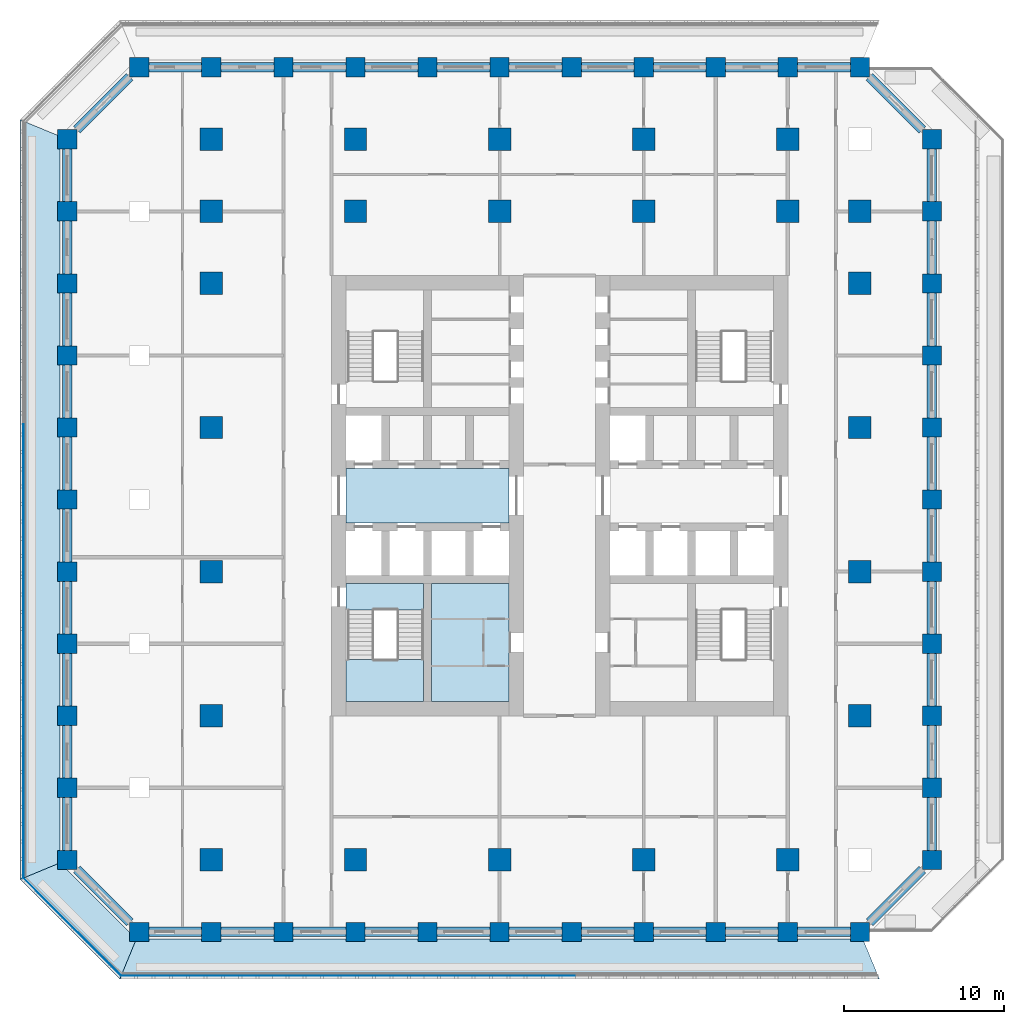
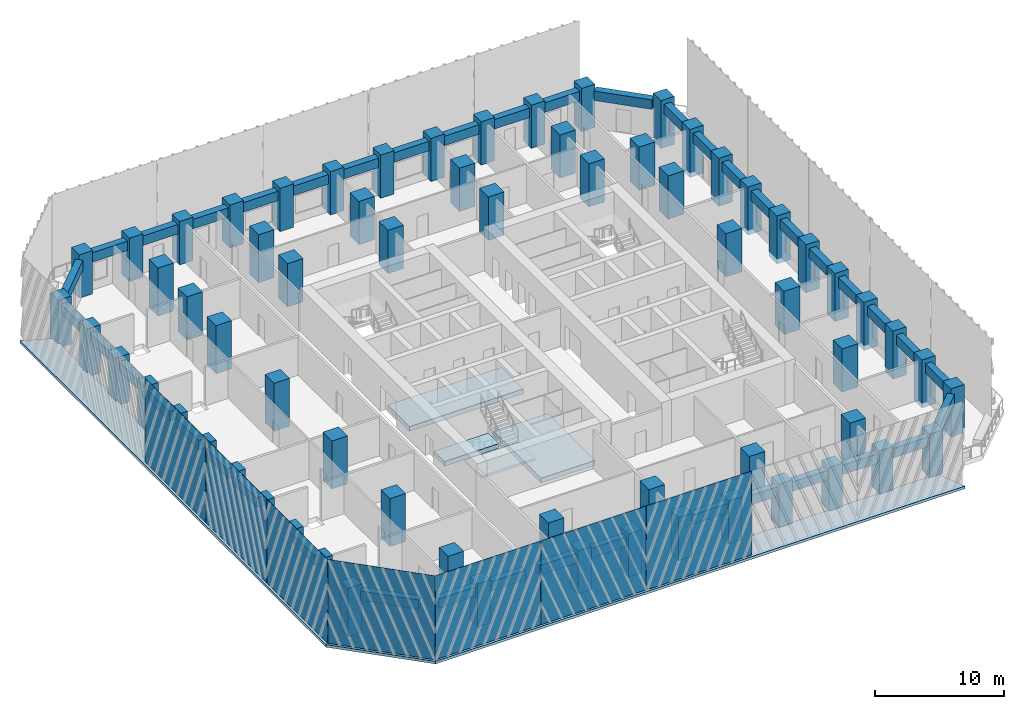
# One storey, part 1 of 19: 68 columns, 44 beams, 7 plates, 7 slabs, 1 element without a shape of its own.
"""IFC4 building model written with IfcOpenShell, lengths in metres."""

from ifc_helpers import new_model, si_unit, direction, frame, origin, origin_2d, place, context, subcontext, project, spatial, polyline, rectangle, outline, extrude, material, layer, layer_set, material_profile, profile_set, type_object, element, aggregate, save


model = new_model("IFC4")

# Units and contexts
model_context = context("Model", 3, precision=1e-05, world=origin(), true_north=direction((0.0, 1.0)))
body_context = subcontext(model_context, "Body", "Model", "MODEL_VIEW")
ifc_project = project(units=[si_unit("LENGTHUNIT", "METRE"), si_unit("AREAUNIT", "SQUARE_METRE"), si_unit("VOLUMEUNIT", "CUBIC_METRE"), si_unit("PLANEANGLEUNIT", "RADIAN"), si_unit("MASSUNIT", "GRAM", prefix="KILO")], contexts=[model_context])

# Site, building, storey
site_placement = place(None, origin())
site = spatial("IfcSite", under=ifc_project, at=site_placement, CompositionType="ELEMENT")
building_placement = place(site_placement, origin())
building = spatial("IfcBuilding", under=site, at=building_placement, Name="Corbel Stack Research Tower", CompositionType="ELEMENT")
storey_placement = place(building_placement, frame((0.0, 0.0, 116.699951171875)))
storey = spatial("IfcBuildingStorey", under=building, at=storey_placement, Name="L26", CompositionType="ELEMENT", Elevation=116.699951171875)

# Columns
ifc_material_1 = material(Name="Concrete C70/85", Category="concrete")
ifc_material_profile_1 = material_profile(ifc_material_1, rectangle(XDim=1.199951171875, YDim=1.199951171875, at=origin_2d()), Name="RC 1200 x 1200")
ifc_profile_set_1 = profile_set([ifc_material_profile_1], Name="Concrete C70/85")
column_type_1 = type_object("IfcColumnType", Name="C-1200-70", PredefinedType="COLUMN", material=ifc_profile_set_1)
for number, where, z_axis, x_axis, name in (
    (1, (-27.0, -18.0, -0.449951171875), (0.0, 0.0, 1.0), (1.0, 0.0, 0.0), "Column 2/D L26"),
    (2, (-27.0, -13.5, -0.449951171875), (0.0, 0.0, 1.0), (1.0, 0.0, 0.0), "Column 2/E L26"),
    (3, (-27.0, -9.0, -0.449951171875), (0.0, 0.0, 1.0), (1.0, 0.0, 0.0), "Column 2/F L26"),
    (4, (-27.0, -4.5, -0.449951171875), (0.0, 0.0, 1.0), (1.0, 0.0, 0.0), "Column 2/G L26"),
    (5, (-27.0, 0.0, -0.449951171875), (0.0, 0.0, 1.0), (1.0, 0.0, 0.0), "Column 2/H L26"),
    (6, (-27.0, 4.5, -0.449951171875), (0.0, 0.0, 1.0), (1.0, 0.0, 0.0), "Column 2/J L26"),
    (7, (-27.0, 9.0, -0.449951171875), (0.0, 0.0, 1.0), (1.0, 0.0, 0.0), "Column 2/K L26"),
    (8, (-27.0, 13.5, -0.449951171875), (0.0, 0.0, 1.0), (1.0, 0.0, 0.0), "Column 2/L L26"),
    (9, (-27.0, 18.0, -0.449951171875), (0.0, 0.0, 1.0), (1.0, 0.0, 0.0), "Column 2/M L26"),
    (10, (-27.0, 22.5, -0.449951171875), (0.0, 0.0, 1.0), (1.0, 0.0, 0.0), "Column 2/N L26"),
    (11, (-27.0, 27.0, -0.449951171875), (0.0, 0.0, 1.0), (1.0, 0.0, 0.0), "Column 2/P L26"),
):
    element("IfcColumn", number, at=place(storey_placement, frame(where, z_axis=z_axis, x_axis=x_axis)), inside=storey, type_object=column_type_1, Name=name, PredefinedType="COLUMN", context=body_context, shape_type="SweptSolid", body=[
        extrude(rectangle(XDim=1.199951171875, YDim=1.199951171875, at=origin_2d()), origin(), (0.0, 0.0, 1.0), 4.550048828125),
    ])
for number, where, z_axis, x_axis, name in (
    (12, (-22.5, -22.5, 0.0), (0.0, 0.0, 1.0), (1.0, 0.0, 0.0), "Column 3/C L26"),
    (13, (-22.5, 31.5, 0.0), (0.0, 0.0, 1.0), (1.0, 0.0, 0.0), "Column 3/Q L26"),
    (14, (-18.0, -22.5, 0.0), (0.0, 0.0, 1.0), (1.0, 0.0, 0.0), "Column 4/C L26"),
    (15, (-18.0, 31.5, 0.0), (0.0, 0.0, 1.0), (1.0, 0.0, 0.0), "Column 4/Q L26"),
    (16, (-13.5, -22.5, 0.0), (0.0, 0.0, 1.0), (1.0, 0.0, 0.0), "Column 5/C L26"),
    (17, (-13.5, 31.5, 0.0), (0.0, 0.0, 1.0), (1.0, 0.0, 0.0), "Column 5/Q L26"),
    (18, (-9.0, -22.5, 0.0), (0.0, 0.0, 1.0), (1.0, 0.0, 0.0), "Column 6/C L26"),
    (19, (-9.0, 31.5, 0.0), (0.0, 0.0, 1.0), (1.0, 0.0, 0.0), "Column 6/Q L26"),
    (20, (-4.5, -22.5, 0.0), (0.0, 0.0, 1.0), (1.0, 0.0, 0.0), "Column 7/C L26"),
    (21, (-4.5, 31.5, 0.0), (0.0, 0.0, 1.0), (1.0, 0.0, 0.0), "Column 7/Q L26"),
    (22, (0.0, -22.5, 0.0), (0.0, 0.0, 1.0), (1.0, 0.0, 0.0), "Column 8/C L26"),
    (23, (0.0, 31.5, 0.0), (0.0, 0.0, 1.0), (1.0, 0.0, 0.0), "Column 8/Q L26"),
    (24, (4.5, -22.5, 0.0), (0.0, 0.0, 1.0), (1.0, 0.0, 0.0), "Column 9/C L26"),
    (25, (4.5, 31.5, 0.0), (0.0, 0.0, 1.0), (1.0, 0.0, 0.0), "Column 9/Q L26"),
    (26, (9.0, -22.5, 0.0), (0.0, 0.0, 1.0), (1.0, 0.0, 0.0), "Column 10/C L26"),
    (27, (9.0, 31.5, 0.0), (0.0, 0.0, 1.0), (1.0, 0.0, 0.0), "Column 10/Q L26"),
    (28, (13.5, -22.5, 0.0), (0.0, 0.0, 1.0), (1.0, 0.0, 0.0), "Column 11/C L26"),
    (29, (13.5, 31.5, 0.0), (0.0, 0.0, 1.0), (1.0, 0.0, 0.0), "Column 11/Q L26"),
    (30, (18.0, -22.5, 0.0), (0.0, 0.0, 1.0), (1.0, 0.0, 0.0), "Column 12/C L26"),
    (31, (18.0, 31.5, 0.0), (0.0, 0.0, 1.0), (1.0, 0.0, 0.0), "Column 12/Q L26"),
    (32, (22.5, -22.5, 0.0), (0.0, 0.0, 1.0), (1.0, 0.0, 0.0), "Column 13/C L26"),
    (33, (22.5, 31.5, 0.0), (0.0, 0.0, 1.0), (1.0, 0.0, 0.0), "Column 13/Q L26"),
):
    element("IfcColumn", number, at=place(storey_placement, frame(where, z_axis=z_axis, x_axis=x_axis)), inside=storey, type_object=column_type_1, Name=name, PredefinedType="COLUMN", context=body_context, shape_type="SweptSolid", body=[
        extrude(rectangle(XDim=1.199951171875, YDim=1.199951171875, at=origin_2d()), origin(), (0.0, 0.0, 1.0), 4.10009765625),
    ])
for number, where, z_axis, x_axis, name in (
    (34, (27.0, -18.0, -0.449951171875), (0.0, 0.0, 1.0), (1.0, 0.0, 0.0), "Column 14/D L26"),
    (35, (27.0, -13.5, -0.449951171875), (0.0, 0.0, 1.0), (1.0, 0.0, 0.0), "Column 14/E L26"),
    (36, (27.0, -9.0, -0.449951171875), (0.0, 0.0, 1.0), (1.0, 0.0, 0.0), "Column 14/F L26"),
    (37, (27.0, -4.5, -0.449951171875), (0.0, 0.0, 1.0), (1.0, 0.0, 0.0), "Column 14/G L26"),
    (38, (27.0, 0.0, -0.449951171875), (0.0, 0.0, 1.0), (1.0, 0.0, 0.0), "Column 14/H L26"),
    (39, (27.0, 4.5, -0.449951171875), (0.0, 0.0, 1.0), (1.0, 0.0, 0.0), "Column 14/J L26"),
    (40, (27.0, 9.0, -0.449951171875), (0.0, 0.0, 1.0), (1.0, 0.0, 0.0), "Column 14/K L26"),
    (41, (27.0, 13.5, -0.449951171875), (0.0, 0.0, 1.0), (1.0, 0.0, 0.0), "Column 14/L L26"),
    (42, (27.0, 18.0, -0.449951171875), (0.0, 0.0, 1.0), (1.0, 0.0, 0.0), "Column 14/M L26"),
    (43, (27.0, 22.5, -0.449951171875), (0.0, 0.0, 1.0), (1.0, 0.0, 0.0), "Column 14/N L26"),
    (44, (27.0, 27.0, -0.449951171875), (0.0, 0.0, 1.0), (1.0, 0.0, 0.0), "Column 14/P L26"),
):
    element("IfcColumn", number, at=place(storey_placement, frame(where, z_axis=z_axis, x_axis=x_axis)), inside=storey, type_object=column_type_1, Name=name, PredefinedType="COLUMN", context=body_context, shape_type="SweptSolid", body=[
        extrude(rectangle(XDim=1.199951171875, YDim=1.199951171875, at=origin_2d()), origin(), (0.0, 0.0, 1.0), 4.550048828125),
    ])
ifc_material_2 = material(Name="Concrete C70/85", Category="concrete")
ifc_material_profile_2 = material_profile(ifc_material_2, rectangle(XDim=1.39990234375, YDim=1.39990234375, at=origin_2d()), Name="RC 1400 x 1400")
ifc_profile_set_2 = profile_set([ifc_material_profile_2], Name="Concrete C70/85")
column_type_2 = type_object("IfcColumnType", Name="C-1400-70", PredefinedType="COLUMN", material=ifc_profile_set_2)
for number, where, z_axis, x_axis, name in (
    (45, (-18.0, -18.0, -0.449951171875), (0.0, 0.0, 1.0), (1.0, 0.0, 0.0), "Column 4/D L26"),
    (46, (-18.0, -9.0, -0.449951171875), (0.0, 0.0, 1.0), (1.0, 0.0, 0.0), "Column 4/F L26"),
    (47, (-18.0, 0.0, -0.449951171875), (0.0, 0.0, 1.0), (1.0, 0.0, 0.0), "Column 4/H L26"),
    (48, (-18.0, 9.0, -0.449951171875), (0.0, 0.0, 1.0), (1.0, 0.0, 0.0), "Column 4/K L26"),
    (49, (-18.0, 18.0, -0.449951171875), (0.0, 0.0, 1.0), (1.0, 0.0, 0.0), "Column 4/M L26"),
):
    element("IfcColumn", number, at=place(storey_placement, frame(where, z_axis=z_axis, x_axis=x_axis)), inside=storey, type_object=column_type_2, Name=name, PredefinedType="COLUMN", context=body_context, shape_type="SweptSolid", body=[
        extrude(rectangle(XDim=1.39990234375, YDim=1.39990234375, at=origin_2d()), origin(), (0.0, 0.0, 1.0), 4.550048828125),
    ])
column_1_placement = place(storey_placement, frame((-18.0, 22.5, 0.0), z_axis=(0.0, 0.0, 1.0), x_axis=(1.0, 0.0, 0.0)))
element("IfcColumn", 50, at=column_1_placement, inside=storey, type_object=column_type_2, Name="Column 4/N L26", PredefinedType="COLUMN", context=body_context, shape_type="SweptSolid", body=[
    extrude(rectangle(XDim=1.39990234375, YDim=1.39990234375, at=origin_2d()), origin(), (0.0, 0.0, 1.0), 4.10009765625),
])
for number, where, z_axis, x_axis, name in (
    (51, (-18.0, 27.0, -0.449951171875), (0.0, 0.0, 1.0), (1.0, 0.0, 0.0), "Column 4/P L26"),
    (52, (-9.0, -18.0, -0.449951171875), (0.0, 0.0, 1.0), (1.0, 0.0, 0.0), "Column 6/D L26"),
):
    element("IfcColumn", number, at=place(storey_placement, frame(where, z_axis=z_axis, x_axis=x_axis)), inside=storey, type_object=column_type_2, Name=name, PredefinedType="COLUMN", context=body_context, shape_type="SweptSolid", body=[
        extrude(rectangle(XDim=1.39990234375, YDim=1.39990234375, at=origin_2d()), origin(), (0.0, 0.0, 1.0), 4.550048828125),
    ])
column_2_placement = place(storey_placement, frame((-9.0, 22.5, 0.0), z_axis=(0.0, 0.0, 1.0), x_axis=(1.0, 0.0, 0.0)))
element("IfcColumn", 53, at=column_2_placement, inside=storey, type_object=column_type_2, Name="Column 6/N L26", PredefinedType="COLUMN", context=body_context, shape_type="SweptSolid", body=[
    extrude(rectangle(XDim=1.39990234375, YDim=1.39990234375, at=origin_2d()), origin(), (0.0, 0.0, 1.0), 4.10009765625),
])
column_3_placement = place(storey_placement, frame((-9.0, 27.0, -0.449951171875), z_axis=(0.0, 0.0, 1.0), x_axis=(1.0, 0.0, 0.0)))
element("IfcColumn", 54, at=column_3_placement, inside=storey, type_object=column_type_2, Name="Column 6/P L26", PredefinedType="COLUMN", context=body_context, shape_type="SweptSolid", body=[
    extrude(rectangle(XDim=1.39990234375, YDim=1.39990234375, at=origin_2d()), origin(), (0.0, 0.0, 1.0), 4.550048828125),
])
for number, where, z_axis, x_axis, name in (
    (55, (0.0, -18.0, 0.0), (0.0, 0.0, 1.0), (1.0, 0.0, 0.0), "Column 8/D L26"),
    (56, (0.0, 22.5, 0.0), (0.0, 0.0, 1.0), (1.0, 0.0, 0.0), "Column 8/N L26"),
    (57, (0.0, 27.0, 0.0), (0.0, 0.0, 1.0), (1.0, 0.0, 0.0), "Column 8/P L26"),
    (58, (9.0, -18.0, 0.0), (0.0, 0.0, 1.0), (1.0, 0.0, 0.0), "Column 10/D L26"),
    (59, (9.0, 22.5, 0.0), (0.0, 0.0, 1.0), (1.0, 0.0, 0.0), "Column 10/N L26"),
    (60, (9.0, 27.0, 0.0), (0.0, 0.0, 1.0), (1.0, 0.0, 0.0), "Column 10/P L26"),
    (61, (18.0, -18.0, 0.0), (0.0, 0.0, 1.0), (1.0, 0.0, 0.0), "Column 12/D L26"),
    (62, (18.0, 22.5, 0.0), (0.0, 0.0, 1.0), (1.0, 0.0, 0.0), "Column 12/N L26"),
    (63, (18.0, 27.0, 0.0), (0.0, 0.0, 1.0), (1.0, 0.0, 0.0), "Column 12/P L26"),
    (64, (22.5, -9.0, 0.0), (0.0, 0.0, 1.0), (1.0, 0.0, 0.0), "Column 13/F L26"),
    (65, (22.5, 0.0, 0.0), (0.0, 0.0, 1.0), (1.0, 0.0, 0.0), "Column 13/H L26"),
    (66, (22.5, 9.0, 0.0), (0.0, 0.0, 1.0), (1.0, 0.0, 0.0), "Column 13/K L26"),
    (67, (22.5, 18.0, 0.0), (0.0, 0.0, 1.0), (1.0, 0.0, 0.0), "Column 13/M L26"),
    (68, (22.5, 22.5, 0.0), (0.0, 0.0, 1.0), (1.0, 0.0, 0.0), "Column 13/N L26"),
):
    element("IfcColumn", number, at=place(storey_placement, frame(where, z_axis=z_axis, x_axis=x_axis)), inside=storey, type_object=column_type_2, Name=name, PredefinedType="COLUMN", context=body_context, shape_type="SweptSolid", body=[
        extrude(rectangle(XDim=1.39990234375, YDim=1.39990234375, at=origin_2d()), origin(), (0.0, 0.0, 1.0), 4.10009765625),
    ])

# Beams
ifc_material_3 = material(Name="Concrete C60/75", Category="concrete")
ifc_material_profile_3 = material_profile(ifc_material_3, rectangle(XDim=0.60009765625, YDim=0.89990234375, at=origin_2d()), Name="RC 600 x 900")
ifc_profile_set_3 = profile_set([ifc_material_profile_3], Name="Concrete C60/75")
beam_type = type_object("IfcBeamType", Name="SB-600-900-450", PredefinedType="SPANDREL", material=ifc_profile_set_3)
for number, where, z_axis, x_axis, name in (
    (69, (-21.89990234375, -22.5, 3.199951171875), (1.0, 0.0, 0.0), (0.0, 1.0, 0.0), "Spandrel beam L26-01"),
    (70, (-17.39990234375, -22.5, 3.199951171875), (1.0, 0.0, 0.0), (0.0, 1.0, 0.0), "Spandrel beam L26-02"),
    (71, (-12.89990234375, -22.5, 3.199951171875), (1.0, 0.0, 0.0), (0.0, 1.0, 0.0), "Spandrel beam L26-03"),
    (72, (-8.39990234375, -22.5, 3.199951171875), (1.0, 0.0, 0.0), (0.0, 1.0, 0.0), "Spandrel beam L26-04"),
    (73, (-3.89990234375, -22.5, 3.199951171875), (1.0, 0.0, 0.0), (0.0, 1.0, 0.0), "Spandrel beam L26-05"),
    (74, (0.60009765625, -22.5, 3.199951171875), (1.0, 0.0, 0.0), (0.0, 1.0, 0.0), "Spandrel beam L26-06"),
    (75, (5.10009765625, -22.5, 3.199951171875), (1.0, 0.0, 0.0), (0.0, 1.0, 0.0), "Spandrel beam L26-07"),
    (76, (9.60009765625, -22.5, 3.199951171875), (1.0, 0.0, 0.0), (0.0, 1.0, 0.0), "Spandrel beam L26-08"),
    (77, (14.10009765625, -22.5, 3.199951171875), (1.0, 0.0, 0.0), (0.0, 1.0, 0.0), "Spandrel beam L26-09"),
    (78, (18.60009765625, -22.5, 3.199951171875), (1.0, 0.0, 0.0), (0.0, 1.0, 0.0), "Spandrel beam L26-10"),
):
    element("IfcBeam", number, at=place(storey_placement, frame(where, z_axis=z_axis, x_axis=x_axis)), inside=storey, type_object=beam_type, Name=name, PredefinedType="SPANDREL", context=body_context, shape_type="SweptSolid", body=[
        extrude(rectangle(XDim=0.60009765625, YDim=0.89990234375, at=origin_2d()), origin(), (0.0, 0.0, 1.0), 3.2998046875),
    ])
beam_1_placement = place(storey_placement, frame((23.10009765625, -21.89990234375, 3.199951171875), z_axis=(0.707106781187, 0.707106781187, 0.0), x_axis=(-0.707106781187, 0.707106781187, 0.0)))
element("IfcBeam", 79, at=beam_1_placement, inside=storey, type_object=beam_type, Name="Spandrel beam L26-11", PredefinedType="SPANDREL", context=body_context, shape_type="SweptSolid", body=[
    extrude(rectangle(XDim=0.60009765625, YDim=0.89990234375, at=origin_2d()), origin(), (0.0, 0.0, 1.0), 4.666748046875),
])
for number, where, z_axis, x_axis, name in (
    (80, (27.0, -17.39990234375, 3.199951171875), (0.0, 1.0, 0.0), (-1.0, 0.0, 0.0), "Spandrel beam L26-12"),
    (81, (27.0, -12.89990234375, 3.199951171875), (0.0, 1.0, 0.0), (-1.0, 0.0, 0.0), "Spandrel beam L26-13"),
    (82, (27.0, -8.39990234375, 3.199951171875), (0.0, 1.0, 0.0), (-1.0, 0.0, 0.0), "Spandrel beam L26-14"),
    (83, (27.0, -3.89990234375, 3.199951171875), (0.0, 1.0, 0.0), (-1.0, 0.0, 0.0), "Spandrel beam L26-15"),
    (84, (27.0, 0.60009765625, 3.199951171875), (0.0, 1.0, 0.0), (-1.0, 0.0, 0.0), "Spandrel beam L26-16"),
    (85, (27.0, 5.10009765625, 3.199951171875), (0.0, 1.0, 0.0), (-1.0, 0.0, 0.0), "Spandrel beam L26-17"),
    (86, (27.0, 9.60009765625, 3.199951171875), (0.0, 1.0, 0.0), (-1.0, 0.0, 0.0), "Spandrel beam L26-18"),
    (87, (27.0, 14.10009765625, 3.199951171875), (0.0, 1.0, 0.0), (-1.0, 0.0, 0.0), "Spandrel beam L26-19"),
    (88, (27.0, 18.60009765625, 3.199951171875), (0.0, 1.0, 0.0), (-1.0, 0.0, 0.0), "Spandrel beam L26-20"),
    (89, (27.0, 23.10009765625, 3.199951171875), (0.0, 1.0, 0.0), (-1.0, 0.0, 0.0), "Spandrel beam L26-21"),
):
    element("IfcBeam", number, at=place(storey_placement, frame(where, z_axis=z_axis, x_axis=x_axis)), inside=storey, type_object=beam_type, Name=name, PredefinedType="SPANDREL", context=body_context, shape_type="SweptSolid", body=[
        extrude(rectangle(XDim=0.60009765625, YDim=0.89990234375, at=origin_2d()), origin(), (0.0, 0.0, 1.0), 3.2998046875),
    ])
beam_2_placement = place(storey_placement, frame((26.39990234375, 27.60009765625, 3.199951171875), z_axis=(-0.707106781187, 0.707106781187, 0.0), x_axis=(-0.707106781187, -0.707106781187, 0.0)))
element("IfcBeam", 90, at=beam_2_placement, inside=storey, type_object=beam_type, Name="Spandrel beam L26-22", PredefinedType="SPANDREL", context=body_context, shape_type="SweptSolid", body=[
    extrude(rectangle(XDim=0.60009765625, YDim=0.89990234375, at=origin_2d()), origin(), (0.0, 0.0, 1.0), 4.666748046875),
])
for number, where, z_axis, x_axis, name in (
    (91, (21.89990234375, 31.5, 3.199951171875), (-1.0, 0.0, 0.0), (0.0, -1.0, 0.0), "Spandrel beam L26-23"),
    (92, (17.39990234375, 31.5, 3.199951171875), (-1.0, 0.0, 0.0), (0.0, -1.0, 0.0), "Spandrel beam L26-24"),
    (93, (12.89990234375, 31.5, 3.199951171875), (-1.0, 0.0, 0.0), (0.0, -1.0, 0.0), "Spandrel beam L26-25"),
    (94, (8.39990234375, 31.5, 3.199951171875), (-1.0, 0.0, 0.0), (0.0, -1.0, 0.0), "Spandrel beam L26-26"),
    (95, (3.89990234375, 31.5, 3.199951171875), (-1.0, 0.0, 0.0), (0.0, -1.0, 0.0), "Spandrel beam L26-27"),
    (96, (-0.60009765625, 31.5, 3.199951171875), (-1.0, 0.0, 0.0), (0.0, -1.0, 0.0), "Spandrel beam L26-28"),
    (97, (-5.10009765625, 31.5, 3.199951171875), (-1.0, 0.0, 0.0), (0.0, -1.0, 0.0), "Spandrel beam L26-29"),
    (98, (-9.60009765625, 31.5, 3.199951171875), (-1.0, 0.0, 0.0), (0.0, -1.0, 0.0), "Spandrel beam L26-30"),
    (99, (-14.10009765625, 31.5, 3.199951171875), (-1.0, 0.0, 0.0), (0.0, -1.0, 0.0), "Spandrel beam L26-31"),
    (100, (-18.60009765625, 31.5, 3.199951171875), (-1.0, 0.0, 0.0), (0.0, -1.0, 0.0), "Spandrel beam L26-32"),
):
    element("IfcBeam", number, at=place(storey_placement, frame(where, z_axis=z_axis, x_axis=x_axis)), inside=storey, type_object=beam_type, Name=name, PredefinedType="SPANDREL", context=body_context, shape_type="SweptSolid", body=[
        extrude(rectangle(XDim=0.60009765625, YDim=0.89990234375, at=origin_2d()), origin(), (0.0, 0.0, 1.0), 3.2998046875),
    ])
beam_3_placement = place(storey_placement, frame((-23.10009765625, 30.89990234375, 3.199951171875), z_axis=(-0.707106781187, -0.707106781187, 0.0), x_axis=(0.707106781187, -0.707106781187, 0.0)))
element("IfcBeam", 101, at=beam_3_placement, inside=storey, type_object=beam_type, Name="Spandrel beam L26-33", PredefinedType="SPANDREL", context=body_context, shape_type="SweptSolid", body=[
    extrude(rectangle(XDim=0.60009765625, YDim=0.89990234375, at=origin_2d()), origin(), (0.0, 0.0, 1.0), 4.666748046875),
])
for number, where, z_axis, x_axis, name in (
    (102, (-27.0, 26.39990234375, 3.199951171875), (0.0, -1.0, 0.0), (1.0, 0.0, 0.0), "Spandrel beam L26-34"),
    (103, (-27.0, 21.89990234375, 3.199951171875), (0.0, -1.0, 0.0), (1.0, 0.0, 0.0), "Spandrel beam L26-35"),
    (104, (-27.0, 17.39990234375, 3.199951171875), (0.0, -1.0, 0.0), (1.0, 0.0, 0.0), "Spandrel beam L26-36"),
    (105, (-27.0, 12.89990234375, 3.199951171875), (0.0, -1.0, 0.0), (1.0, 0.0, 0.0), "Spandrel beam L26-37"),
    (106, (-27.0, 8.39990234375, 3.199951171875), (0.0, -1.0, 0.0), (1.0, 0.0, 0.0), "Spandrel beam L26-38"),
    (107, (-27.0, 3.89990234375, 3.199951171875), (0.0, -1.0, 0.0), (1.0, 0.0, 0.0), "Spandrel beam L26-39"),
    (108, (-27.0, -0.60009765625, 3.199951171875), (0.0, -1.0, 0.0), (1.0, 0.0, 0.0), "Spandrel beam L26-40"),
    (109, (-27.0, -5.10009765625, 3.199951171875), (0.0, -1.0, 0.0), (1.0, 0.0, 0.0), "Spandrel beam L26-41"),
    (110, (-27.0, -9.60009765625, 3.199951171875), (0.0, -1.0, 0.0), (1.0, 0.0, 0.0), "Spandrel beam L26-42"),
    (111, (-27.0, -14.10009765625, 3.199951171875), (0.0, -1.0, 0.0), (1.0, 0.0, 0.0), "Spandrel beam L26-43"),
):
    element("IfcBeam", number, at=place(storey_placement, frame(where, z_axis=z_axis, x_axis=x_axis)), inside=storey, type_object=beam_type, Name=name, PredefinedType="SPANDREL", context=body_context, shape_type="SweptSolid", body=[
        extrude(rectangle(XDim=0.60009765625, YDim=0.89990234375, at=origin_2d()), origin(), (0.0, 0.0, 1.0), 3.2998046875),
    ])
beam_4_placement = place(storey_placement, frame((-26.39990234375, -18.60009765625, 3.199951171875), z_axis=(0.707106781187, -0.707106781187, 0.0), x_axis=(0.707106781187, 0.707106781187, 0.0)))
element("IfcBeam", 112, at=beam_4_placement, inside=storey, type_object=beam_type, Name="Spandrel beam L26-44", PredefinedType="SPANDREL", context=body_context, shape_type="SweptSolid", body=[
    extrude(rectangle(XDim=0.60009765625, YDim=0.89990234375, at=origin_2d()), origin(), (0.0, 0.0, 1.0), 4.666748046875),
])

# Plates
ifc_material_4 = material(Name="Fritted glass", Category="glass")
ifc_layer_1 = layer(ifc_material_4, 0.02490234375)
ifc_layer_set_1 = layer_set([ifc_layer_1], Name="Fritted glass")
plate_type = type_object("IfcPlateType", Name="Fritted glass panel 25", PredefinedType="SHEET", material=ifc_layer_set_1)
for number, where, z_axis, x_axis, name in (
    (113, (-18.911376953125, -25.237548828125, 0.0), (0.0, 0.0, 1.0), (1.0, 0.0, 0.0), "Fritted glass L26 S1"),
    (114, (-9.45556640625, -25.237548828125, 0.0), (0.0, 0.0, 1.0), (1.0, 0.0, 0.0), "Fritted glass L26 S2"),
    (115, (0.0, -25.237548828125, 0.0), (0.0, 0.0, 1.0), (1.0, 0.0, 0.0), "Fritted glass L26 S3"),
    (116, (-29.737548828125, 4.5, 0.0), (0.0, 0.0, 1.0), (0.0, -1.0, 0.0), "Fritted glass L26 W3"),
    (117, (-29.737548828125, -4.95556640625, 0.0), (0.0, 0.0, 1.0), (0.0, -1.0, 0.0), "Fritted glass L26 W4"),
    (118, (-29.737548828125, -14.411376953125, 0.0), (0.0, 0.0, 1.0), (0.0, -1.0, 0.0), "Fritted glass L26 W5"),
):
    element("IfcPlate", number, at=place(storey_placement, frame(where, z_axis=z_axis, x_axis=x_axis)), inside=storey, type_object=plate_type, Name=name, PredefinedType="SHEET", context=body_context, shape_type="SweptSolid", body=[
        extrude(rectangle(XDim=9.3955078125, YDim=0.02490234375, at=origin_2d()), origin(), (0.0, 0.0, 1.0), 7.949951171875),
    ])
plate_placement = place(storey_placement, frame((-26.685791015625, -22.185791015625, 0.0), z_axis=(0.0, 0.0, 1.0), x_axis=(0.707106781187, -0.707106781187, 0.0)))
element("IfcPlate", 119, at=plate_placement, inside=storey, type_object=plate_type, Name="Fritted glass L26 SW1", PredefinedType="SHEET", context=body_context, shape_type="SweptSolid", body=[
    extrude(rectangle(XDim=8.58203125, YDim=0.02490234375, at=origin_2d()), origin(), (0.0, 0.0, 1.0), 7.949951171875),
])

# Slabs
ifc_material_5 = material(Name="Concrete C45/55", Category="concrete")
ifc_layer_2 = layer(ifc_material_5, 0.25)
ifc_layer_set_2 = layer_set([ifc_layer_2], Name="Concrete C45/55")
slab_type_1 = type_object("IfcSlabType", Name="PT balcony slab 250 C45/55", PredefinedType="FLOOR", material=ifc_layer_set_2)
slab_1_placement = place(storey_placement, frame((0.0, 0.0, -0.25)))
element("IfcSlab", 120, at=slab_1_placement, inside=storey, type_object=slab_type_1, Name="Loggia slab L26 S", PredefinedType="FLOOR", context=body_context, shape_type="SweptSolid", body=[
    extrude(outline(polyline([(22.74853515625, -23.10009765625), (21.89990234375, -23.10009765625), (21.89990234375, -22.949951171875), (18.60009765625, -22.949951171875), (18.60009765625, -23.10009765625), (17.39990234375, -23.10009765625), (17.39990234375, -22.949951171875), (14.10009765625, -22.949951171875), (14.10009765625, -23.10009765625), (12.89990234375, -23.10009765625), (12.89990234375, -22.949951171875), (9.60009765625, -22.949951171875), (9.60009765625, -23.10009765625), (8.39990234375, -23.10009765625), (8.39990234375, -22.949951171875), (5.10009765625, -22.949951171875), (5.10009765625, -23.10009765625), (3.89990234375, -23.10009765625), (3.89990234375, -22.949951171875), (0.60009765625, -22.949951171875), (0.60009765625, -23.10009765625), (-0.60009765625, -23.10009765625), (-0.60009765625, -22.949951171875), (-3.89990234375, -22.949951171875), (-3.89990234375, -23.10009765625), (-5.10009765625, -23.10009765625), (-5.10009765625, -22.949951171875), (-8.39990234375, -22.949951171875), (-8.39990234375, -23.10009765625), (-9.60009765625, -23.10009765625), (-9.60009765625, -22.949951171875), (-12.89990234375, -22.949951171875), (-12.89990234375, -23.10009765625), (-14.10009765625, -23.10009765625), (-14.10009765625, -22.949951171875), (-17.39990234375, -22.949951171875), (-17.39990234375, -23.10009765625), (-18.60009765625, -23.10009765625), (-18.60009765625, -22.949951171875), (-21.89990234375, -22.949951171875), (-21.89990234375, -23.10009765625), (-22.74853515625, -23.10009765625), (-23.721923828125, -25.449951171875), (23.721923828125, -25.449951171875), (22.74853515625, -23.10009765625)])), origin(), (0.0, 0.0, 1.0), 0.25),
])
slab_2_placement = place(storey_placement, frame((0.0, 0.0, -0.25)))
element("IfcSlab", 121, at=slab_2_placement, inside=storey, type_object=slab_type_1, Name="Loggia slab L26 W", PredefinedType="FLOOR", context=body_context, shape_type="SweptSolid", body=[
    extrude(outline(polyline([(-27.60009765625, -18.24853515625), (-27.60009765625, -17.39990234375), (-27.449951171875, -17.39990234375), (-27.449951171875, -14.10009765625), (-27.60009765625, -14.10009765625), (-27.60009765625, -12.89990234375), (-27.449951171875, -12.89990234375), (-27.449951171875, -9.60009765625), (-27.60009765625, -9.60009765625), (-27.60009765625, -8.39990234375), (-27.449951171875, -8.39990234375), (-27.449951171875, -5.10009765625), (-27.60009765625, -5.10009765625), (-27.60009765625, -3.89990234375), (-27.449951171875, -3.89990234375), (-27.449951171875, -0.60009765625), (-27.60009765625, -0.60009765625), (-27.60009765625, 0.60009765625), (-27.449951171875, 0.60009765625), (-27.449951171875, 3.89990234375), (-27.60009765625, 3.89990234375), (-27.60009765625, 5.10009765625), (-27.449951171875, 5.10009765625), (-27.449951171875, 8.39990234375), (-27.60009765625, 8.39990234375), (-27.60009765625, 9.60009765625), (-27.449951171875, 9.60009765625), (-27.449951171875, 12.89990234375), (-27.60009765625, 12.89990234375), (-27.60009765625, 14.10009765625), (-27.449951171875, 14.10009765625), (-27.449951171875, 17.39990234375), (-27.60009765625, 17.39990234375), (-27.60009765625, 18.60009765625), (-27.449951171875, 18.60009765625), (-27.449951171875, 21.89990234375), (-27.60009765625, 21.89990234375), (-27.60009765625, 23.10009765625), (-27.449951171875, 23.10009765625), (-27.449951171875, 26.39990234375), (-27.60009765625, 26.39990234375), (-27.60009765625, 27.24853515625), (-29.949951171875, 28.221923828125), (-29.949951171875, -19.221923828125), (-27.60009765625, -18.24853515625)])), origin(), (0.0, 0.0, 1.0), 0.25),
])
slab_3_placement = place(storey_placement, frame((0.0, 0.0, -0.25)))
element("IfcSlab", 122, at=slab_3_placement, inside=storey, type_object=slab_type_1, Name="Loggia slab L26 SW", PredefinedType="FLOOR", context=body_context, shape_type="SweptSolid", body=[
    extrude(outline(polyline([(-22.74853515625, -23.10009765625), (-23.10009765625, -23.10009765625), (-23.10009765625, -22.536376953125), (-27.036376953125, -18.60009765625), (-27.60009765625, -18.60009765625), (-27.60009765625, -18.24853515625), (-29.949951171875, -19.221923828125), (-23.721923828125, -25.449951171875), (-22.74853515625, -23.10009765625)])), origin(), (0.0, 0.0, 1.0), 0.25),
])
ifc_material_6 = material(Name="Concrete C45/55", Category="concrete")
ifc_layer_3 = layer(ifc_material_6, 0.449951171875)
ifc_layer_set_3 = layer_set([ifc_layer_3], Name="Concrete C45/55")
slab_type_2 = type_object("IfcSlabType", Name="PT-450", PredefinedType="FLOOR", material=ifc_layer_set_3)
slab_4_placement = place(storey_placement, frame((0.0, 0.0, -0.449951171875)))
element("IfcSlab", 123, at=slab_4_placement, inside=storey, type_object=slab_type_2, Name="West core floor L26", PredefinedType="FLOOR", context=body_context, shape_type="SweptSolid", body=[
    extrude(outline(polyline([(0.60009765625, 6.449951171875), (-9.60009765625, 6.449951171875), (-9.60009765625, 3.050048828125), (0.60009765625, 3.050048828125), (0.60009765625, 6.449951171875)])), origin(), (0.0, 0.0, 1.0), 0.449951171875),
])
slab_5_placement = place(storey_placement, frame((0.0, 0.0, -0.449951171875)))
element("IfcSlab", 124, at=slab_5_placement, inside=storey, type_object=slab_type_2, Name="West core floor L26", PredefinedType="FLOOR", context=body_context, shape_type="SweptSolid", body=[
    extrude(outline(polyline([(0.60009765625, -8.10009765625), (0.60009765625, -0.75), (-4.25, -0.75), (-4.25, -8.10009765625), (0.60009765625, -8.10009765625)])), origin(), (0.0, 0.0, 1.0), 0.449951171875),
])
slab_6_placement = place(storey_placement, frame((0.0, 0.0, -0.449951171875)))
element("IfcSlab", 125, at=slab_6_placement, inside=storey, type_object=slab_type_2, Name="Stair floor landing ST-W1", PredefinedType="FLOOR", context=body_context, shape_type="SweptSolid", body=[
    extrude(outline(polyline([(-9.60009765625, -2.39990234375), (-4.75, -2.39990234375), (-4.75, -0.75), (-9.60009765625, -0.75), (-9.60009765625, -2.39990234375)])), origin(), (0.0, 0.0, 1.0), 0.449951171875),
])

# Stair, slab
ifc_material_7 = material(Name="Concrete C40/50", Category="concrete")
stair_type = type_object("IfcStairType", Name="Exit stair 24 risers", PredefinedType="HALF_TURN_STAIR", material=ifc_material_7)
stair_placement = place(storey_placement, origin())
stair = element("IfcStair", 126, at=stair_placement, inside=storey, type_object=stair_type, Name="L26 Exit stair ST-W1", PredefinedType="HALF_TURN_STAIR")
ifc_material_8 = material(Name="Concrete C40/50", Category="concrete")
ifc_layer_4 = layer(ifc_material_8, 0.199951171875)
ifc_layer_set_4 = layer_set([ifc_layer_4], Name="Concrete C40/50")
slab_type_3 = type_object("IfcSlabType", Name="Stair landing 200 C40/50", PredefinedType="LANDING", material=ifc_layer_set_4)
slab_7_placement = place(storey_placement, frame((0.0, 0.0, 1.85009765625)))
slab_7 = element("IfcSlab", 127, at=slab_7_placement, type_object=slab_type_3, Name="ST-W1 landing 1", PredefinedType="LANDING", context=body_context, shape_type="SweptSolid", body=[
    extrude(outline(polyline([(-9.60009765625, -8.10009765625), (-9.60009765625, -5.47998046875), (-4.75, -5.47998046875), (-4.75, -8.10009765625), (-9.60009765625, -8.10009765625)])), origin(), (0.0, 0.0, 1.0), 0.199951171875),
])
aggregate(stair, [slab_7])

save(model, "model.ifc")
